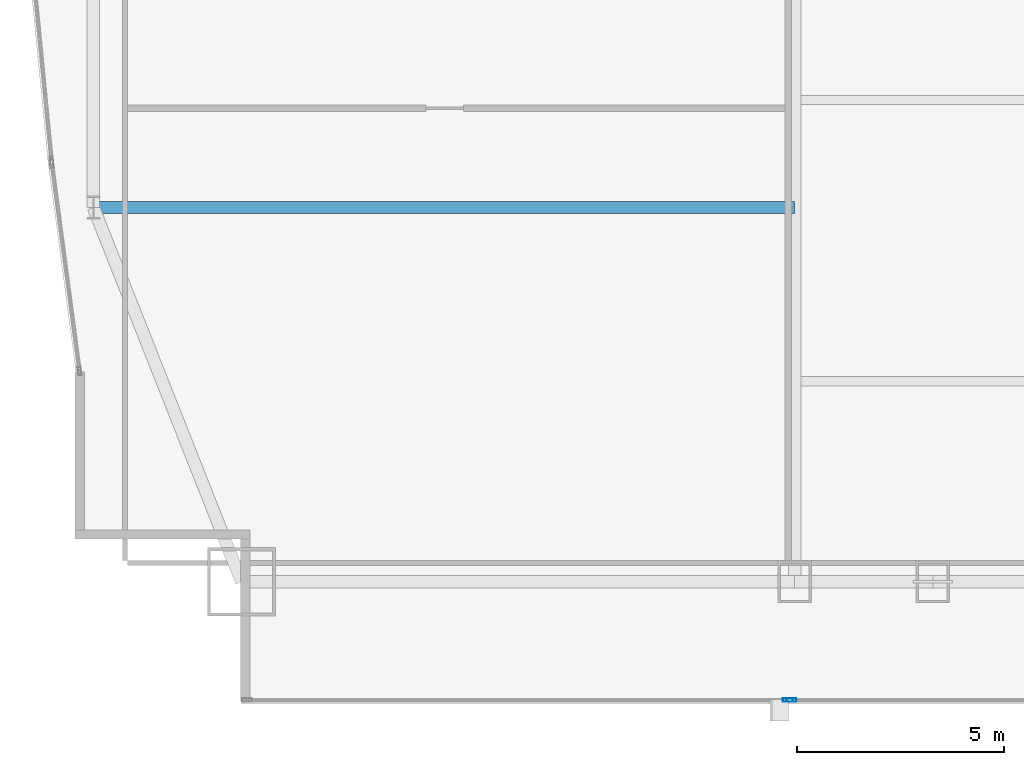
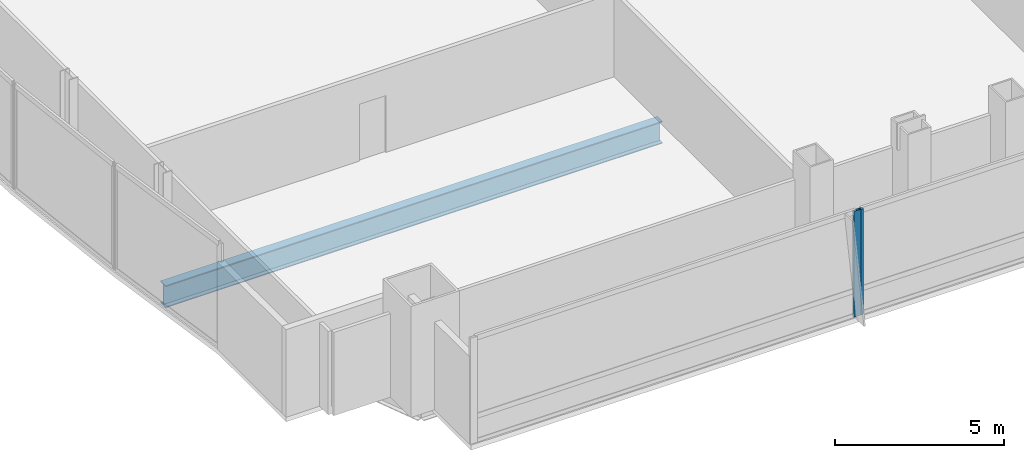
# One storey, part 7 of 35: 2 members, 1 beam, 2 elements without a shape of their own.
"""IFC4 building model written with IfcOpenShell, lengths in metres."""

from ifc_helpers import new_model, si_unit, direction, frame, origin, origin_2d, place, context, subcontext, project, spatial, hollow_rectangle, i_section, extrude, material, material_profile, profile_set, type_object, element, aggregate, save


model = new_model("IFC4")

# Units and contexts
model_context = context("Model", 3, precision=1e-05, world=origin(), true_north=direction((0.0, 1.0)))
body_context = subcontext(model_context, "Body", "Model", "MODEL_VIEW")
ifc_project = project(units=[si_unit("LENGTHUNIT", "METRE"), si_unit("AREAUNIT", "SQUARE_METRE"), si_unit("VOLUMEUNIT", "CUBIC_METRE"), si_unit("PLANEANGLEUNIT", "RADIAN"), si_unit("MASSUNIT", "GRAM", prefix="KILO")], contexts=[model_context])

# Site, building, storey
site_placement = place(None, origin())
site = spatial("IfcSite", under=ifc_project, at=site_placement, CompositionType="ELEMENT")
building_placement = place(site_placement, origin())
building = spatial("IfcBuilding", under=site, at=building_placement, Name="Khoronbel Lancet Exchange", CompositionType="ELEMENT")
storey_placement = place(building_placement, frame((0.0, 0.0, 69.800048828125)))
storey = spatial("IfcBuildingStorey", under=building, at=storey_placement, Name="L16", CompositionType="ELEMENT", Elevation=69.800048828125)

# Beam
ifc_material_1 = material(Name="Steel S355", Category="steel")
ifc_material_profile_1 = material_profile(ifc_material_1, i_section(OverallWidth=0.300048828125, OverallDepth=0.800048828125, WebThickness=0.017578125, FlangeThickness=0.032958984375, at=origin_2d()), Name="HEB 800")
ifc_profile_set_1 = profile_set([ifc_material_profile_1], Name="Steel S355")
beam_type = type_object("IfcBeamType", Name="BM-BG2", PredefinedType="BEAM", material=ifc_profile_set_1)
beam_placement = place(storey_placement, frame((1.27001953125, 19.199951171875, -0.580078125), z_axis=(1.0, 0.0, 0.0), x_axis=(0.0, 1.0, 0.0)))
element("IfcBeam", 1, at=beam_placement, inside=storey, type_object=beam_type, Name="Level L16 west lens tie girder LG1W", PredefinedType="BEAM", context=body_context, shape_type="SweptSolid", body=[
    extrude(i_section(OverallWidth=0.300048828125, OverallDepth=0.800048828125, WebThickness=0.017578125, FlangeThickness=0.032958984375, at=origin_2d()), origin(), (0.0, 0.0, 1.0), 16.955078125),
])

# Curtain wall, member
ifc_material_2 = material(Name="Low-E Solar Control Insulating Glass", Category="glass")
curtain_wall_type = type_object("IfcCurtainWallType", Name="CW-1", PredefinedType="NOTDEFINED", material=ifc_material_2)
curtain_wall_1_placement = place(storey_placement, origin())
curtain_wall_1 = element("IfcCurtainWall", 2, at=curtain_wall_1_placement, inside=storey, type_object=curtain_wall_type, Name="Unitised curtain wall CW-L16-SWV", PredefinedType="NOTDEFINED")
ifc_material_3 = material(Name="Bronze-Anodised Aluminium 6063-T6", Category="aluminium")
ifc_material_profile_2 = material_profile(ifc_material_3, hollow_rectangle(XDim=0.0849609375, YDim=0.239990234375, WallThickness=0.006103515625, at=origin_2d()), Name="ALU MULLION 85x240")
ifc_profile_set_2 = profile_set([ifc_material_profile_2], Name="Bronze-Anodised Aluminium 6063-T6")
member_type = type_object("IfcMemberType", Name="MEM-CWM1", PredefinedType="MULLION", material=ifc_profile_set_2)
member_1_placement = place(storey_placement, frame((18.0576171875, 7.2900390625, 0.0), z_axis=(0.0, 0.0, 1.0), x_axis=(0.0, 1.0, 0.0)))
member_1 = element("IfcMember", 3, at=member_1_placement, type_object=member_type, Name="CW1 mullion 2", PredefinedType="MULLION", context=body_context, shape_type="SweptSolid", body=[
    extrude(hollow_rectangle(XDim=0.0849609375, YDim=0.239990234375, WallThickness=0.006103515625, at=origin_2d()), origin(), (0.0, 0.0, 1.0), 3.820068359375),
])
aggregate(curtain_wall_1, [member_1])

curtain_wall_2_placement = place(storey_placement, origin())
curtain_wall_2 = element("IfcCurtainWall", 4, at=curtain_wall_2_placement, inside=storey, type_object=curtain_wall_type, Name="Unitised curtain wall CW-L16-SWB", PredefinedType="NOTDEFINED")
member_2_placement = place(storey_placement, frame((18.142578125, 7.2900390625, 0.0), z_axis=(0.0, 0.0, 1.0), x_axis=(0.0, 1.0, 0.0)))
member_2 = element("IfcMember", 5, at=member_2_placement, type_object=member_type, Name="CW1 mullion 1", PredefinedType="MULLION", context=body_context, shape_type="SweptSolid", body=[
    extrude(hollow_rectangle(XDim=0.0849609375, YDim=0.239990234375, WallThickness=0.006103515625, at=origin_2d()), origin(), (0.0, 0.0, 1.0), 3.820068359375),
])
aggregate(curtain_wall_2, [member_2])

save(model, "model.ifc")
